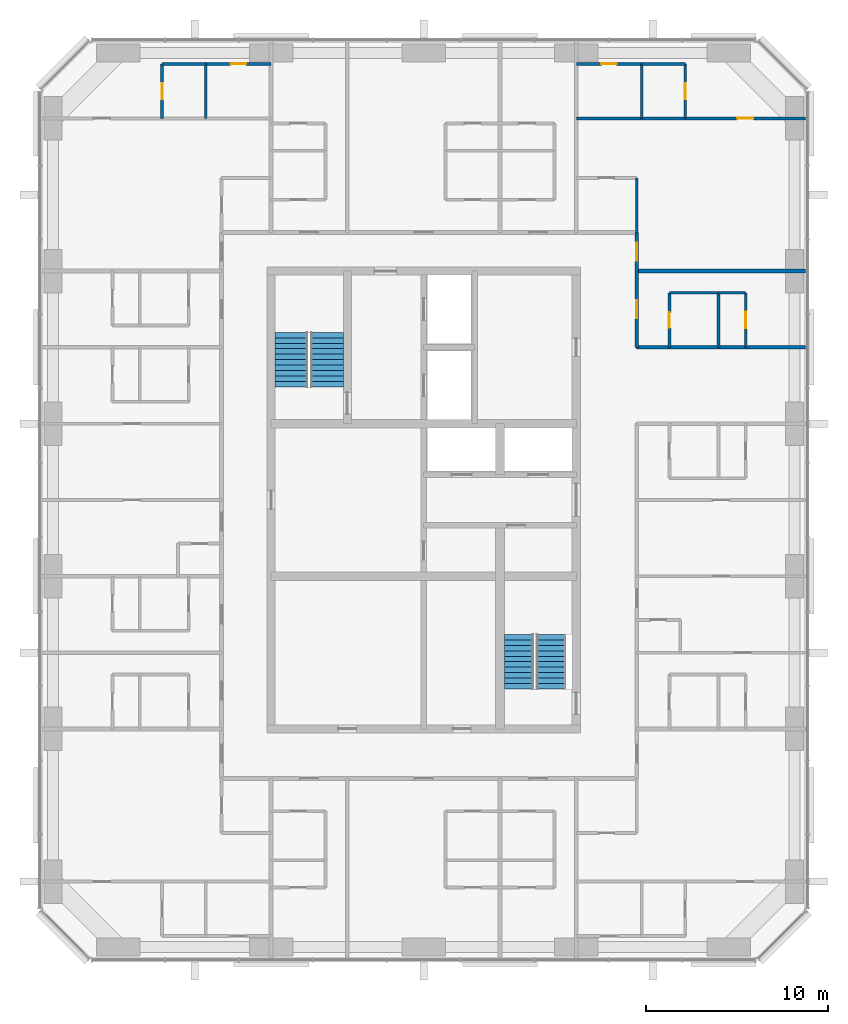
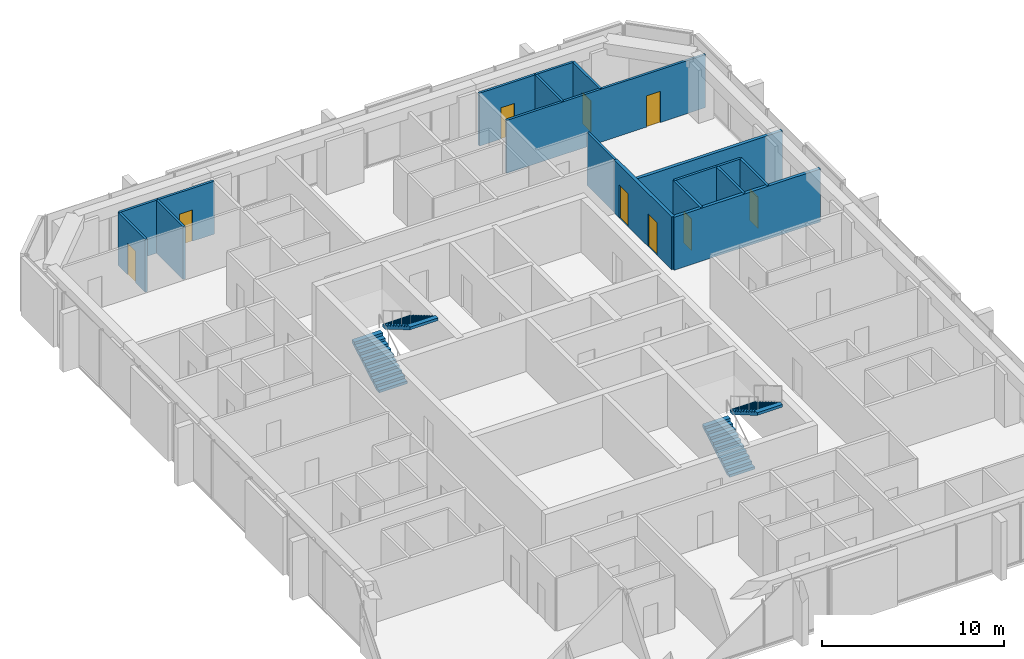
# One storey, part 11 of 12: 18 walls, 9 doors, 4 stair flights, 9 openings, 2 elements without a shape of their own.
"""IFC4 building model written with IfcOpenShell, lengths in metres."""

from ifc_helpers import new_model, si_unit, direction, frame, frame_2d, origin, place, context, subcontext, project, spatial, polyline, rectangle, outline, extrude, material, layer, layer_set, type_object, element, fill, aggregate, save


model = new_model("IFC4")

# Units and contexts
model_context = context("Model", 3, precision=1e-05, world=origin(), true_north=direction((0.0, 1.0)))
body_context = subcontext(model_context, "Body", "Model", "MODEL_VIEW")
ifc_project = project(units=[si_unit("LENGTHUNIT", "METRE"), si_unit("AREAUNIT", "SQUARE_METRE"), si_unit("VOLUMEUNIT", "CUBIC_METRE"), si_unit("PLANEANGLEUNIT", "RADIAN"), si_unit("MASSUNIT", "GRAM", prefix="KILO")], contexts=[model_context])

# Site, building, storey
site_placement = place(None, origin())
site = spatial("IfcSite", under=ifc_project, at=site_placement, CompositionType="ELEMENT")
building_placement = place(site_placement, origin())
building = spatial("IfcBuilding", under=site, at=building_placement, Name="Dunama Terrace Hotel", CompositionType="ELEMENT")
storey_placement = place(building_placement, frame((0.0, 0.0, 264.60009765625)))
storey = spatial("IfcBuildingStorey", under=building, at=storey_placement, Name="L68", CompositionType="ELEMENT", Elevation=264.60009765625)

# Wall
ifc_material_1 = material(Name="Gypsum board partition", Category="masonry")
ifc_layer_1 = layer(ifc_material_1, 0.14990234375)
ifc_layer_set_1 = layer_set([ifc_layer_1], Name="Bathroom partition 150")
wall_type_1 = type_object("IfcWallType", Name="Bathroom partition 150", PredefinedType="PARTITIONING", material=ifc_layer_set_1)
wall_1_placement = place(storey_placement, frame((45.324951171875, 44.125, 0.0), z_axis=(0.0, 0.0, 1.0), x_axis=(0.0, 1.0, 0.0)))
element("IfcWall", 1, at=wall_1_placement, inside=storey, type_object=wall_type_1, Name="Bathroom partition 150 L68", PredefinedType="PARTITIONING", context=body_context, shape_type="SweptSolid", body=[
    extrude(rectangle(XDim=3.0, YDim=0.14990234375, at=frame_2d((1.5, 0.0))), origin(), (0.0, 0.0, 1.0), 3.5498046875),
])

# Wall, opening, door
wall_2_placement = place(storey_placement, frame((47.125, 37.800048828125, 0.0), z_axis=(0.0, 0.0, 1.0), x_axis=(0.0, 1.0, 0.0)))
wall_2 = element("IfcWall", 2, at=wall_2_placement, inside=storey, type_object=wall_type_1, Name="Bathroom partition 150 L68", PredefinedType="PARTITIONING", context=body_context, shape_type="SweptSolid", body=[
    extrude(rectangle(XDim=3.0, YDim=0.14990234375, at=frame_2d((1.5, 0.0))), origin(), (0.0, 0.0, 1.0), 3.5498046875),
])
opening_1_placement = place(wall_2_placement, frame((1.074951171875, 0.0, 0.0)))
opening_1 = element("IfcOpeningElement", 3, at=opening_1_placement, cuts=wall_2, Name="Opening L68-70-026", PredefinedType="OPENING", context=body_context, shape_type="SweptSolid", body=[
    extrude(rectangle(XDim=0.85009765625, YDim=2.10009765625, at=frame_2d((0.425048828125, 1.050048828125))), frame((0.0, 0.0849609375, 0.0), z_axis=(0.0, -1.0, 0.0), x_axis=(1.0, 0.0, 0.0)), (0.0, 0.0, 1.0), 0.169921875),
])
ifc_material_2 = material(Name="Timber door with steel frame", Category="steel")
door_type_1 = type_object("IfcDoorType", Name="Bathroom door 850", OperationType="SINGLE_SWING_LEFT", PredefinedType="DOOR", material=ifc_material_2)
door_1_placement = place(opening_1_placement, frame((0.85009765625, 0.0, 0.0), z_axis=(0.0, 0.0, 1.0), x_axis=(-1.0, 0.0, 0.0)))
door_1 = element("IfcDoor", 4, at=door_1_placement, inside=storey, type_object=door_type_1, Name="Door to en-suite bathroom L68-70-026, type D2", OperationType="SINGLE_SWING_RIGHT", OverallHeight=2.10009765625, OverallWidth=0.85009765625, PredefinedType="DOOR", context=body_context, shape_type="SweptSolid", body=[
    extrude(rectangle(XDim=0.85009765625, YDim=2.10009765625, at=frame_2d((0.425048828125, 1.050048828125))), frame((0.0, 0.025146484375, 0.0), z_axis=(0.0, -1.0, 0.0), x_axis=(1.0, 0.0, 0.0)), (0.0, 0.0, 1.0), 0.050048828125),
])
fill(opening_1, door_1)

# Wall
wall_3_placement = place(storey_placement, frame((47.125, 40.800048828125, 0.0), z_axis=(0.0, 0.0, 1.0), x_axis=(1.0, 0.0, 0.0)))
element("IfcWall", 5, at=wall_3_placement, inside=storey, type_object=wall_type_1, Name="Bathroom partition 150 L68", PredefinedType="PARTITIONING", context=body_context, shape_type="SweptSolid", body=[
    extrude(rectangle(XDim=2.699951171875, YDim=0.14990234375, at=frame_2d((1.35009765625, 0.0))), origin(), (0.0, 0.0, 1.0), 3.5498046875),
])

# Wall, opening, door
wall_4_placement = place(storey_placement, frame((21.60009765625, 53.39990234375, 0.0), z_axis=(0.0, 0.0, 1.0), x_axis=(1.0, 0.0, 0.0)))
wall_4 = element("IfcWall", 6, at=wall_4_placement, inside=storey, type_object=wall_type_1, Name="Bathroom partition 150 L68", PredefinedType="PARTITIONING", context=body_context, shape_type="SweptSolid", body=[
    extrude(rectangle(XDim=3.599853515625, YDim=0.14990234375, at=frame_2d((1.7998046875, 0.0))), origin(), (0.0, 0.0, 1.0), 3.5498046875),
])
opening_2_placement = place(wall_4_placement, frame((1.375, 0.0, 0.0)))
opening_2 = element("IfcOpeningElement", 7, at=opening_2_placement, cuts=wall_4, Name="Opening L68-70-070", PredefinedType="OPENING", context=body_context, shape_type="SweptSolid", body=[
    extrude(rectangle(XDim=0.85009765625, YDim=2.10009765625, at=frame_2d((0.425048828125, 1.050048828125))), frame((0.0, 0.0849609375, 0.0), z_axis=(0.0, -1.0, 0.0), x_axis=(1.0, 0.0, 0.0)), (0.0, 0.0, 1.0), 0.169921875),
])
door_2_placement = place(opening_2_placement, frame((0.85009765625, 0.0, 0.0), z_axis=(0.0, 0.0, 1.0), x_axis=(-1.0, 0.0, 0.0)))
door_2 = element("IfcDoor", 8, at=door_2_placement, inside=storey, type_object=door_type_1, Name="Door to en-suite bathroom L68-70-070, type D2", OperationType="SINGLE_SWING_LEFT", OverallHeight=2.10009765625, OverallWidth=0.85009765625, PredefinedType="DOOR", context=body_context, shape_type="SweptSolid", body=[
    extrude(rectangle(XDim=0.85009765625, YDim=2.10009765625, at=frame_2d((0.425048828125, 1.050048828125))), frame((0.0, 0.025146484375, 0.0), z_axis=(0.0, -1.0, 0.0), x_axis=(1.0, 0.0, 0.0)), (0.0, 0.0, 1.0), 0.050048828125),
])
fill(opening_2, door_2)

wall_5_placement = place(storey_placement, frame((42.0, 53.39990234375, 0.0), z_axis=(0.0, 0.0, 1.0), x_axis=(1.0, 0.0, 0.0)))
wall_5 = element("IfcWall", 9, at=wall_5_placement, inside=storey, type_object=wall_type_1, Name="Bathroom partition 150 L68", PredefinedType="PARTITIONING", context=body_context, shape_type="SweptSolid", body=[
    extrude(rectangle(XDim=3.60009765625, YDim=0.14990234375, at=frame_2d((1.800048828125, 0.0))), origin(), (0.0, 0.0, 1.0), 3.5498046875),
])
opening_3_placement = place(wall_5_placement, frame((1.375, 0.0, 0.0)))
opening_3 = element("IfcOpeningElement", 10, at=opening_3_placement, cuts=wall_5, Name="Opening L68-70-065", PredefinedType="OPENING", context=body_context, shape_type="SweptSolid", body=[
    extrude(rectangle(XDim=0.85009765625, YDim=2.10009765625, at=frame_2d((0.425048828125, 1.050048828125))), frame((0.0, 0.0849609375, 0.0), z_axis=(0.0, -1.0, 0.0), x_axis=(1.0, 0.0, 0.0)), (0.0, 0.0, 1.0), 0.169921875),
])
door_3_placement = place(opening_3_placement, frame((0.85009765625, 0.0, 0.0), z_axis=(0.0, 0.0, 1.0), x_axis=(-1.0, 0.0, 0.0)))
door_3 = element("IfcDoor", 11, at=door_3_placement, inside=storey, type_object=door_type_1, Name="Door to en-suite bathroom L68-70-065, type D2", OperationType="SINGLE_SWING_RIGHT", OverallHeight=2.10009765625, OverallWidth=0.85009765625, PredefinedType="DOOR", context=body_context, shape_type="SweptSolid", body=[
    extrude(rectangle(XDim=0.85009765625, YDim=2.10009765625, at=frame_2d((0.425048828125, 1.050048828125))), frame((0.0, 0.025146484375, 0.0), z_axis=(0.0, -1.0, 0.0), x_axis=(1.0, 0.0, 0.0)), (0.0, 0.0, 1.0), 0.050048828125),
])
fill(opening_3, door_3)

# Wall
ifc_material_3 = material(Name="Concrete blockwork", Category="masonry")
ifc_layer_2 = layer(ifc_material_3, 0.199951171875)
ifc_layer_set_2 = layer_set([ifc_layer_2], Name="Corridor partition 200")
wall_type_2 = type_object("IfcWallType", Name="Corridor partition 200", PredefinedType="PARTITIONING", material=ifc_layer_set_2)
wall_6_placement = place(storey_placement, frame((45.324951171875, 37.800048828125, 0.0), z_axis=(0.0, 0.0, 1.0), x_axis=(1.0, 0.0, 0.0)))
element("IfcWall", 12, at=wall_6_placement, inside=storey, type_object=wall_type_2, Name="Corridor partition 200 L68", PredefinedType="PARTITIONING", context=body_context, shape_type="SweptSolid", body=[
    extrude(rectangle(XDim=9.29296875, YDim=0.199951171875, at=frame_2d((4.646484375, 0.0))), origin(), (0.0, 0.0, 1.0), 3.5498046875),
])

# Wall, openings, doors
wall_7_placement = place(storey_placement, frame((45.324951171875, 44.125, 0.0), z_axis=(0.0, 0.0, 1.0), x_axis=(0.0, -1.0, 0.0)))
wall_7 = element("IfcWall", 13, at=wall_7_placement, inside=storey, type_object=wall_type_2, Name="Corridor partition 200 L68", PredefinedType="PARTITIONING", context=body_context, shape_type="SweptSolid", body=[
    extrude(rectangle(XDim=6.324951171875, YDim=0.199951171875, at=frame_2d((3.16259765625, 0.0))), origin(), (0.0, 0.0, 1.0), 3.5498046875),
])
opening_4_placement = place(wall_7_placement, frame((3.72509765625, 0.0, 0.0)))
opening_4 = element("IfcOpeningElement", 14, at=opening_4_placement, cuts=wall_7, Name="Opening L68-70-025", PredefinedType="OPENING", context=body_context, shape_type="SweptSolid", body=[
    extrude(rectangle(XDim=1.0, YDim=2.199951171875, at=frame_2d((0.5, 1.10009765625))), frame((0.0, 0.10986328125, 0.0), z_axis=(0.0, -1.0, 0.0), x_axis=(1.0, 0.0, 0.0)), (0.0, 0.0, 1.0), 0.219970703125),
])
opening_5_placement = place(wall_7_placement, frame((0.56298828125, 0.0, 0.0)))
opening_5 = element("IfcOpeningElement", 15, at=opening_5_placement, cuts=wall_7, Name="Opening L68-70-062", PredefinedType="OPENING", context=body_context, shape_type="SweptSolid", body=[
    extrude(rectangle(XDim=1.0, YDim=2.199951171875, at=frame_2d((0.5, 1.10009765625))), frame((0.0, 0.10986328125, 0.0), z_axis=(0.0, -1.0, 0.0), x_axis=(1.0, 0.0, 0.0)), (0.0, 0.0, 1.0), 0.219970703125),
])
ifc_material_4 = material(Name="Timber door with steel frame", Category="steel")
door_type_2 = type_object("IfcDoorType", Name="Guest room door 1000", OperationType="SINGLE_SWING_LEFT", PredefinedType="DOOR", material=ifc_material_4)
door_4_placement = place(opening_4_placement, origin())
door_4 = element("IfcDoor", 16, at=door_4_placement, inside=storey, type_object=door_type_2, Name="Door to studio suite L68-70-025, type D1", OperationType="SINGLE_SWING_LEFT", OverallHeight=2.199951171875, OverallWidth=1.0, PredefinedType="DOOR", context=body_context, shape_type="SweptSolid", body=[
    extrude(rectangle(XDim=1.0, YDim=2.199951171875, at=frame_2d((0.5, 1.10009765625))), frame((0.0, 0.02490234375, 0.0), z_axis=(0.0, -1.0, 0.0), x_axis=(1.0, 0.0, 0.0)), (0.0, 0.0, 1.0), 0.050048828125),
])
fill(opening_4, door_4)
door_5_placement = place(opening_5_placement, origin())
door_5 = element("IfcDoor", 17, at=door_5_placement, inside=storey, type_object=door_type_2, Name="Door to grand corner suite living room L68-70-062, type D1", OperationType="SINGLE_SWING_RIGHT", OverallHeight=2.199951171875, OverallWidth=1.0, PredefinedType="DOOR", context=body_context, shape_type="SweptSolid", body=[
    extrude(rectangle(XDim=1.0, YDim=2.199951171875, at=frame_2d((0.5, 1.10009765625))), frame((0.0, 0.02490234375, 0.0), z_axis=(0.0, -1.0, 0.0), x_axis=(1.0, 0.0, 0.0)), (0.0, 0.0, 1.0), 0.050048828125),
])
fill(opening_5, door_5)

# Wall
ifc_material_5 = material(Name="Concrete blockwork", Category="masonry")
ifc_layer_3 = layer(ifc_material_5, 0.199951171875)
ifc_layer_set_3 = layer_set([ifc_layer_3], Name="Party wall 200")
wall_type_3 = type_object("IfcWallType", Name="Party wall 200", PredefinedType="PARTITIONING", material=ifc_layer_set_3)
wall_8_placement = place(storey_placement, frame((45.324951171875, 42.0, 0.0), z_axis=(0.0, 0.0, 1.0), x_axis=(1.0, 0.0, 0.0)))
element("IfcWall", 18, at=wall_8_placement, inside=storey, type_object=wall_type_3, Name="Party wall 200 L68", PredefinedType="PARTITIONING", context=body_context, shape_type="SweptSolid", body=[
    extrude(rectangle(XDim=9.29296875, YDim=0.199951171875, at=frame_2d((4.646484375, 0.0))), origin(), (0.0, 0.0, 1.0), 3.5498046875),
])

# Wall, opening, door
ifc_material_6 = material(Name="Gypsum board partition", Category="masonry")
ifc_layer_4 = layer(ifc_material_6, 0.14990234375)
ifc_layer_set_4 = layer_set([ifc_layer_4], Name="Room partition 150")
wall_type_4 = type_object("IfcWallType", Name="Room partition 150", PredefinedType="PARTITIONING", material=ifc_layer_set_4)
wall_9_placement = place(storey_placement, frame((19.199951171875, 50.39990234375, 0.0), z_axis=(0.0, 0.0, 1.0), x_axis=(0.0, 1.0, 0.0)))
wall_9 = element("IfcWall", 19, at=wall_9_placement, inside=storey, type_object=wall_type_4, Name="Room partition 150 L68", PredefinedType="PARTITIONING", context=body_context, shape_type="SweptSolid", body=[
    extrude(rectangle(XDim=3.0, YDim=0.14990234375, at=frame_2d((1.5, 0.0))), origin(), (0.0, 0.0, 1.0), 3.5498046875),
])
opening_6_placement = place(wall_9_placement, frame((1.050048828125, 0.0, 0.0)))
opening_6 = element("IfcOpeningElement", 20, at=opening_6_placement, cuts=wall_9, Name="Opening L68-70-071", PredefinedType="OPENING", context=body_context, shape_type="SweptSolid", body=[
    extrude(rectangle(XDim=0.89990234375, YDim=2.10009765625, at=frame_2d((0.449951171875, 1.050048828125))), frame((0.0, 0.0849609375, 0.0), z_axis=(0.0, -1.0, 0.0), x_axis=(1.0, 0.0, 0.0)), (0.0, 0.0, 1.0), 0.169921875),
])
ifc_material_7 = material(Name="Timber door with steel frame", Category="steel")
door_type_3 = type_object("IfcDoorType", Name="Suite internal door 900", OperationType="SINGLE_SWING_LEFT", PredefinedType="DOOR", material=ifc_material_7)
door_6_placement = place(opening_6_placement, frame((0.89990234375, 0.0, 0.0), z_axis=(0.0, 0.0, 1.0), x_axis=(-1.0, 0.0, 0.0)))
door_6 = element("IfcDoor", 21, at=door_6_placement, inside=storey, type_object=door_type_3, Name="Door to dressing room L68-70-071, type D16", OperationType="SINGLE_SWING_RIGHT", OverallHeight=2.10009765625, OverallWidth=0.89990234375, PredefinedType="DOOR", context=body_context, shape_type="SweptSolid", body=[
    extrude(rectangle(XDim=0.89990234375, YDim=2.10009765625, at=frame_2d((0.449951171875, 1.050048828125))), frame((0.0, 0.025146484375, 0.0), z_axis=(0.0, -1.0, 0.0), x_axis=(1.0, 0.0, 0.0)), (0.0, 0.0, 1.0), 0.050048828125),
])
fill(opening_6, door_6)

# Walls
for number, where, z_axis, x_axis, name in (
    (22, (21.60009765625, 50.39990234375, 0.0), (0.0, 0.0, 1.0), (0.0, 1.0, 0.0), "Room partition 150 L68"),
    (23, (45.60009765625, 50.39990234375, 0.0), (0.0, 0.0, 1.0), (0.0, 1.0, 0.0), "Room partition 150 L68"),
):
    element("IfcWall", number, at=place(storey_placement, frame(where, z_axis=z_axis, x_axis=x_axis)), inside=storey, type_object=wall_type_4, Name=name, PredefinedType="PARTITIONING", context=body_context, shape_type="SweptSolid", body=[
        extrude(rectangle(XDim=3.0, YDim=0.14990234375, at=frame_2d((1.5, 0.0))), origin(), (0.0, 0.0, 1.0), 3.5498046875),
    ])

# Wall, opening, door
wall_10_placement = place(storey_placement, frame((48.0, 50.39990234375, 0.0), z_axis=(0.0, 0.0, 1.0), x_axis=(0.0, 1.0, 0.0)))
wall_10 = element("IfcWall", 24, at=wall_10_placement, inside=storey, type_object=wall_type_4, Name="Room partition 150 L68", PredefinedType="PARTITIONING", context=body_context, shape_type="SweptSolid", body=[
    extrude(rectangle(XDim=3.0, YDim=0.14990234375, at=frame_2d((1.5, 0.0))), origin(), (0.0, 0.0, 1.0), 3.5498046875),
])
opening_7_placement = place(wall_10_placement, frame((1.050048828125, 0.0, 0.0)))
opening_7 = element("IfcOpeningElement", 25, at=opening_7_placement, cuts=wall_10, Name="Opening L68-70-066", PredefinedType="OPENING", context=body_context, shape_type="SweptSolid", body=[
    extrude(rectangle(XDim=0.89990234375, YDim=2.10009765625, at=frame_2d((0.449951171875, 1.050048828125))), frame((0.0, 0.0849609375, 0.0), z_axis=(0.0, -1.0, 0.0), x_axis=(1.0, 0.0, 0.0)), (0.0, 0.0, 1.0), 0.169921875),
])
door_7_placement = place(opening_7_placement, origin())
door_7 = element("IfcDoor", 26, at=door_7_placement, inside=storey, type_object=door_type_3, Name="Door to dressing room L68-70-066, type D16", OperationType="SINGLE_SWING_LEFT", OverallHeight=2.10009765625, OverallWidth=0.89990234375, PredefinedType="DOOR", context=body_context, shape_type="SweptSolid", body=[
    extrude(rectangle(XDim=0.89990234375, YDim=2.10009765625, at=frame_2d((0.449951171875, 1.050048828125))), frame((0.0, 0.02490234375, 0.0), z_axis=(0.0, -1.0, 0.0), x_axis=(1.0, 0.0, 0.0)), (0.0, 0.0, 1.0), 0.050048828125),
])
fill(opening_7, door_7)

# Wall
wall_11_placement = place(storey_placement, frame((49.824951171875, 37.800048828125, 0.0), z_axis=(0.0, 0.0, 1.0), x_axis=(0.0, 1.0, 0.0)))
element("IfcWall", 27, at=wall_11_placement, inside=storey, type_object=wall_type_4, Name="Room partition 150 L68", PredefinedType="PARTITIONING", context=body_context, shape_type="SweptSolid", body=[
    extrude(rectangle(XDim=3.0, YDim=0.14990234375, at=frame_2d((1.5, 0.0))), origin(), (0.0, 0.0, 1.0), 3.5498046875),
])

# Wall, opening, door
wall_12_placement = place(storey_placement, frame((51.324951171875, 37.800048828125, 0.0), z_axis=(0.0, 0.0, 1.0), x_axis=(0.0, 1.0, 0.0)))
wall_12 = element("IfcWall", 28, at=wall_12_placement, inside=storey, type_object=wall_type_4, Name="Room partition 150 L68", PredefinedType="PARTITIONING", context=body_context, shape_type="SweptSolid", body=[
    extrude(rectangle(XDim=3.0, YDim=0.14990234375, at=frame_2d((1.5, 0.0))), origin(), (0.0, 0.0, 1.0), 3.5498046875),
])
opening_8_placement = place(wall_12_placement, frame((1.050048828125, 0.0, 0.0)))
opening_8 = element("IfcOpeningElement", 29, at=opening_8_placement, cuts=wall_12, Name="Opening L68-70-027", PredefinedType="OPENING", context=body_context, shape_type="SweptSolid", body=[
    extrude(rectangle(XDim=0.89990234375, YDim=2.10009765625, at=frame_2d((0.449951171875, 1.050048828125))), frame((0.0, 0.0849609375, 0.0), z_axis=(0.0, -1.0, 0.0), x_axis=(1.0, 0.0, 0.0)), (0.0, 0.0, 1.0), 0.169921875),
])
door_8_placement = place(opening_8_placement, origin())
door_8 = element("IfcDoor", 30, at=door_8_placement, inside=storey, type_object=door_type_3, Name="Door to walk-in wardrobe L68-70-027, type D16", OperationType="SINGLE_SWING_LEFT", OverallHeight=2.10009765625, OverallWidth=0.89990234375, PredefinedType="DOOR", context=body_context, shape_type="SweptSolid", body=[
    extrude(rectangle(XDim=0.89990234375, YDim=2.10009765625, at=frame_2d((0.449951171875, 1.050048828125))), frame((0.0, 0.02490234375, 0.0), z_axis=(0.0, -1.0, 0.0), x_axis=(1.0, 0.0, 0.0)), (0.0, 0.0, 1.0), 0.050048828125),
])
fill(opening_8, door_8)

# Wall
wall_13_placement = place(storey_placement, frame((49.824951171875, 40.800048828125, 0.0), z_axis=(0.0, 0.0, 1.0), x_axis=(1.0, 0.0, 0.0)))
element("IfcWall", 31, at=wall_13_placement, inside=storey, type_object=wall_type_4, Name="Room partition 150 L68", PredefinedType="PARTITIONING", context=body_context, shape_type="SweptSolid", body=[
    extrude(rectangle(XDim=1.5, YDim=0.14990234375, at=frame_2d((0.75, 0.0))), origin(), (0.0, 0.0, 1.0), 3.5498046875),
])

# Wall, opening, door
wall_14_placement = place(storey_placement, frame((42.0, 50.39990234375, 0.0), z_axis=(0.0, 0.0, 1.0), x_axis=(1.0, 0.0, 0.0)))
wall_14 = element("IfcWall", 32, at=wall_14_placement, inside=storey, type_object=wall_type_4, Name="Room partition 150 L68", PredefinedType="PARTITIONING", context=body_context, shape_type="SweptSolid", body=[
    extrude(rectangle(XDim=12.617919921875, YDim=0.14990234375, at=frame_2d((6.30908203125, 0.0))), origin(), (0.0, 0.0, 1.0), 3.5498046875),
])
opening_9_placement = place(wall_14_placement, frame((8.85009765625, 0.0, 0.0)))
opening_9 = element("IfcOpeningElement", 33, at=opening_9_placement, cuts=wall_14, Name="Opening L68-70-064", PredefinedType="OPENING", context=body_context, shape_type="SweptSolid", body=[
    extrude(rectangle(XDim=0.89990234375, YDim=2.10009765625, at=frame_2d((0.449951171875, 1.050048828125))), frame((0.0, 0.0849609375, 0.0), z_axis=(0.0, -1.0, 0.0), x_axis=(1.0, 0.0, 0.0)), (0.0, 0.0, 1.0), 0.169921875),
])
door_9_placement = place(opening_9_placement, origin())
door_9 = element("IfcDoor", 34, at=door_9_placement, inside=storey, type_object=door_type_3, Name="Door to grand corner suite bedroom L68-70-064, type D16", OperationType="SINGLE_SWING_RIGHT", OverallHeight=2.10009765625, OverallWidth=0.89990234375, PredefinedType="DOOR", context=body_context, shape_type="SweptSolid", body=[
    extrude(rectangle(XDim=0.89990234375, YDim=2.10009765625, at=frame_2d((0.449951171875, 1.050048828125))), frame((0.0, 0.02490234375, 0.0), z_axis=(0.0, -1.0, 0.0), x_axis=(1.0, 0.0, 0.0)), (0.0, 0.0, 1.0), 0.050048828125),
])
fill(opening_9, door_9)

# Walls
wall_15_placement = place(storey_placement, frame((19.199951171875, 53.39990234375, 0.0), z_axis=(0.0, 0.0, 1.0), x_axis=(1.0, 0.0, 0.0)))
element("IfcWall", 35, at=wall_15_placement, inside=storey, type_object=wall_type_4, Name="Room partition 150 L68", PredefinedType="PARTITIONING", context=body_context, shape_type="SweptSolid", body=[
    extrude(rectangle(XDim=2.400146484375, YDim=0.14990234375, at=frame_2d((1.2001953125, 0.0))), origin(), (0.0, 0.0, 1.0), 3.5498046875),
])
wall_16_placement = place(storey_placement, frame((45.60009765625, 53.39990234375, 0.0), z_axis=(0.0, 0.0, 1.0), x_axis=(1.0, 0.0, 0.0)))
element("IfcWall", 36, at=wall_16_placement, inside=storey, type_object=wall_type_4, Name="Room partition 150 L68", PredefinedType="PARTITIONING", context=body_context, shape_type="SweptSolid", body=[
    extrude(rectangle(XDim=2.39990234375, YDim=0.14990234375, at=frame_2d((1.199951171875, 0.0))), origin(), (0.0, 0.0, 1.0), 3.5498046875),
])

# Stair, stair flights
ifc_material_8 = material(Name="Concrete C40/50", Category="concrete")
stair_type_1 = type_object("IfcStairType", Name="Stair ST1-3900-1800", PredefinedType="HALF_TURN_STAIR", material=ifc_material_8)
stair_1_placement = place(storey_placement, origin())
stair_1 = element("IfcStair", 37, at=stair_1_placement, inside=storey, type_object=stair_type_1, Name="Stair ST1 L68", PredefinedType="HALF_TURN_STAIR")
ifc_material_9 = material(Name="Concrete C40/50", Category="concrete")
stair_flight_type_1 = type_object("IfcStairFlightType", Name="Stair flight ST1-3900-1800", PredefinedType="STRAIGHT", material=ifc_material_9)
stair_flight_1_placement = place(storey_placement, frame((26.324951171875, 35.625, 0.0), z_axis=(0.0, 0.0, 1.0), x_axis=(0.0, 1.0, 0.0)))
stair_flight_1 = element("IfcStairFlight", 38, at=stair_flight_1_placement, type_object=stair_flight_type_1, Name="ST1 flight 1", NumberOfRisers=11, NumberOfTreads=10, PredefinedType="STRAIGHT", RiserHeight=0.177272727, TreadLength=0.3, context=body_context, shape_type="SweptSolid", body=[
    extrude(outline(polyline([(0.0, 0.0), (0.0, 0.17724609375), (0.300048828125, 0.17724609375), (0.300048828125, 0.3544921875), (0.60009765625, 0.3544921875), (0.60009765625, 0.53173828125), (0.89990234375, 0.53173828125), (0.89990234375, 0.708984375), (1.199951171875, 0.708984375), (1.199951171875, 0.886474609375), (1.5, 0.886474609375), (1.5, 1.063720703125), (1.800048828125, 1.063720703125), (1.800048828125, 1.240966796875), (2.10009765625, 1.240966796875), (2.10009765625, 1.418212890625), (2.39990234375, 1.418212890625), (2.39990234375, 1.595458984375), (2.699951171875, 1.595458984375), (2.699951171875, 1.772705078125), (3.0, 1.772705078125), (3.0, 1.949951171875), (3.0, 1.5986328125), (0.294677734375, 0.0), (0.0, 0.0)])), frame((0.0, 0.89990234375, 0.0), z_axis=(0.0, -1.0, 0.0), x_axis=(1.0, 0.0, 0.0)), (0.0, 0.0, 1.0), 1.800048828125),
])
stair_flight_2_placement = place(storey_placement, frame((28.27490234375, 38.625, 1.949951171875), z_axis=(0.0, 0.0, 1.0), x_axis=(0.0, -1.0, 0.0)))
stair_flight_2 = element("IfcStairFlight", 39, at=stair_flight_2_placement, type_object=stair_flight_type_1, Name="ST1 flight 2", NumberOfRisers=11, NumberOfTreads=10, PredefinedType="STRAIGHT", RiserHeight=0.177272727, TreadLength=0.3, context=body_context, shape_type="SweptSolid", body=[
    extrude(outline(polyline([(0.0, 0.0), (0.0, 0.17724609375), (0.300048828125, 0.17724609375), (0.300048828125, 0.3544921875), (0.60009765625, 0.3544921875), (0.60009765625, 0.53173828125), (0.89990234375, 0.53173828125), (0.89990234375, 0.708984375), (1.199951171875, 0.708984375), (1.199951171875, 0.886474609375), (1.5, 0.886474609375), (1.5, 1.063720703125), (1.800048828125, 1.063720703125), (1.800048828125, 1.240966796875), (2.10009765625, 1.240966796875), (2.10009765625, 1.418212890625), (2.39990234375, 1.418212890625), (2.39990234375, 1.595458984375), (2.699951171875, 1.595458984375), (2.699951171875, 1.772705078125), (3.0, 1.772705078125), (3.0, 1.949951171875), (3.0, 1.5986328125), (0.294677734375, 0.0), (0.0, 0.0)])), frame((0.0, 0.89990234375, 0.0), z_axis=(0.0, -1.0, 0.0), x_axis=(1.0, 0.0, 0.0)), (0.0, 0.0, 1.0), 1.800048828125),
])
aggregate(stair_1, [stair_flight_1, stair_flight_2])

ifc_material_10 = material(Name="Concrete C40/50", Category="concrete")
stair_type_2 = type_object("IfcStairType", Name="Stair ST2-3900-1600", PredefinedType="HALF_TURN_STAIR", material=ifc_material_10)
stair_2_placement = place(storey_placement, origin())
stair_2 = element("IfcStair", 40, at=stair_2_placement, inside=storey, type_object=stair_type_2, Name="Stair ST2 L68", PredefinedType="HALF_TURN_STAIR")
ifc_material_11 = material(Name="Concrete C40/50", Category="concrete")
stair_flight_type_2 = type_object("IfcStairFlightType", Name="Stair flight ST2-3900-1600", PredefinedType="STRAIGHT", material=ifc_material_11)
stair_flight_3_placement = place(storey_placement, frame((38.85009765625, 19.0, 0.0), z_axis=(0.0, 0.0, 1.0), x_axis=(0.0, 1.0, 0.0)))
stair_flight_3 = element("IfcStairFlight", 41, at=stair_flight_3_placement, type_object=stair_flight_type_2, Name="ST2 flight 1", NumberOfRisers=11, NumberOfTreads=10, PredefinedType="STRAIGHT", RiserHeight=0.177272727, TreadLength=0.3, context=body_context, shape_type="SweptSolid", body=[
    extrude(outline(polyline([(0.0, 0.0), (0.0, 0.17724609375), (0.300048828125, 0.17724609375), (0.300048828125, 0.3544921875), (0.60009765625, 0.3544921875), (0.60009765625, 0.53173828125), (0.89990234375, 0.53173828125), (0.89990234375, 0.708984375), (1.199951171875, 0.708984375), (1.199951171875, 0.886474609375), (1.5, 0.886474609375), (1.5, 1.063720703125), (1.800048828125, 1.063720703125), (1.800048828125, 1.240966796875), (2.10009765625, 1.240966796875), (2.10009765625, 1.418212890625), (2.39990234375, 1.418212890625), (2.39990234375, 1.595458984375), (2.699951171875, 1.595458984375), (2.699951171875, 1.772705078125), (3.0, 1.772705078125), (3.0, 1.949951171875), (3.0, 1.5986328125), (0.294677734375, 0.0), (0.0, 0.0)])), frame((0.0, 0.800048828125, 0.0), z_axis=(0.0, -1.0, 0.0), x_axis=(1.0, 0.0, 0.0)), (0.0, 0.0, 1.0), 1.60009765625),
])
stair_flight_4_placement = place(storey_placement, frame((40.60009765625, 22.0, 1.949951171875), z_axis=(0.0, 0.0, 1.0), x_axis=(0.0, -1.0, 0.0)))
stair_flight_4 = element("IfcStairFlight", 42, at=stair_flight_4_placement, type_object=stair_flight_type_2, Name="ST2 flight 2", NumberOfRisers=11, NumberOfTreads=10, PredefinedType="STRAIGHT", RiserHeight=0.177272727, TreadLength=0.3, context=body_context, shape_type="SweptSolid", body=[
    extrude(outline(polyline([(0.0, 0.0), (0.0, 0.17724609375), (0.300048828125, 0.17724609375), (0.300048828125, 0.3544921875), (0.60009765625, 0.3544921875), (0.60009765625, 0.53173828125), (0.89990234375, 0.53173828125), (0.89990234375, 0.708984375), (1.199951171875, 0.708984375), (1.199951171875, 0.886474609375), (1.5, 0.886474609375), (1.5, 1.063720703125), (1.800048828125, 1.063720703125), (1.800048828125, 1.240966796875), (2.10009765625, 1.240966796875), (2.10009765625, 1.418212890625), (2.39990234375, 1.418212890625), (2.39990234375, 1.595458984375), (2.699951171875, 1.595458984375), (2.699951171875, 1.772705078125), (3.0, 1.772705078125), (3.0, 1.949951171875), (3.0, 1.5986328125), (0.294677734375, 0.0), (0.0, 0.0)])), frame((0.0, 0.800048828125, 0.0), z_axis=(0.0, -1.0, 0.0), x_axis=(1.0, 0.0, 0.0)), (0.0, 0.0, 1.0), 1.60009765625),
])
aggregate(stair_2, [stair_flight_3, stair_flight_4])

save(model, "model.ifc")
